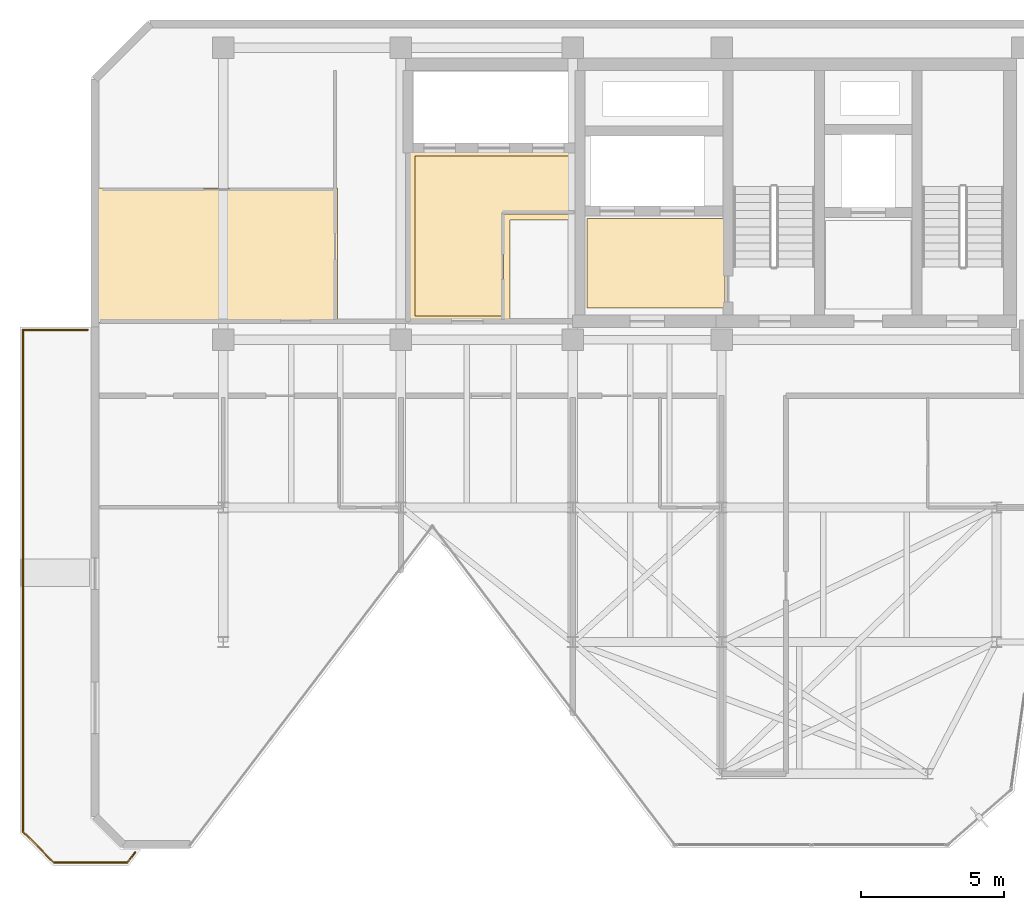
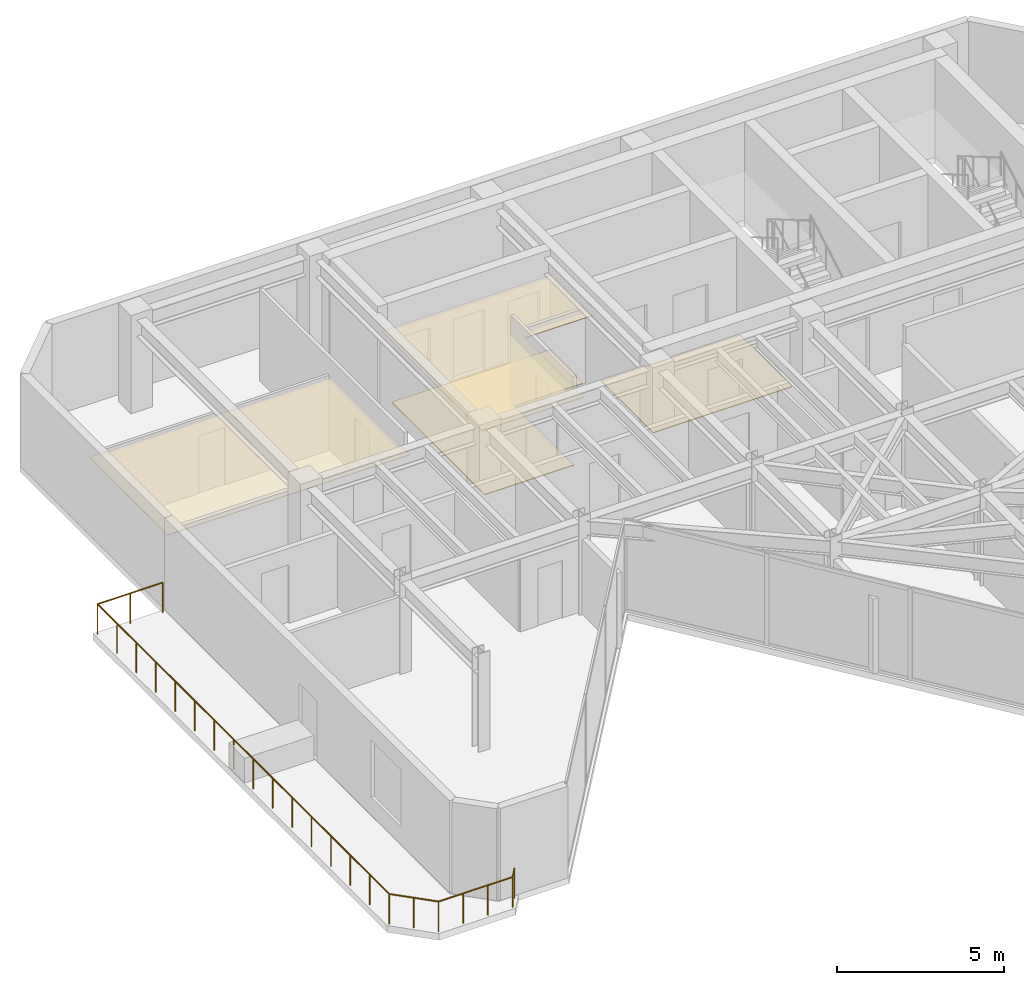
# One storey, part 15 of 16: 5 railings, 4 coverings.
"""IFC4 building model written with IfcOpenShell, lengths in metres."""

import ifcopenshell
import ifcopenshell.guid

model = None  # the IFC model being written
_history = None  # IfcOwnerHistory: only IFC2X3 demands one
_inside = {}  # id of a spatial element -> (the spatial element, [elements in it])
_under = {}  # id of a project, library or spatial element -> (it, [spatial elements below it])
_declared = {}  # id of a project -> (the project, [libraries it declares])
_typed = {}  # id of a type object -> (the type object, [elements of that type])
_made_of = {}  # id of a material, layer set ... -> (it, [elements and type objects made of it])


def new_model(schema):
    """Start an empty IFC model of exactly this schema.

    Asked for "IFC4X3", IfcOpenShell would pick the latest addendum, in which some entities
    have other attributes; the version numbers below select the first issue.
    IFC2X3 requires an IfcOwnerHistory on every rooted entity: one is made here for all.
    """
    global model, _history
    if schema == "IFC4X3":
        model = ifcopenshell.file(schema_version=(4, 3, 0, 0))
    else:
        model = ifcopenshell.file(schema=schema)
    _inside.clear()
    _under.clear()
    _declared.clear()
    _typed.clear()
    _made_of.clear()
    _history = None
    if model.schema == "IFC2X3":
        org = make("IfcOrganization", Name="unknown")
        user = make(
            "IfcPersonAndOrganization",
            ThePerson=make("IfcPerson", FamilyName="unknown"),
            TheOrganization=org,
        )
        app = make(
            "IfcApplication",
            ApplicationDeveloper=org,
            Version="unknown",
            ApplicationFullName="unknown",
            ApplicationIdentifier="unknown",
        )
        _history = make(
            "IfcOwnerHistory",
            OwningUser=user,
            OwningApplication=app,
            ChangeAction="ADDED",
            CreationDate=0,
        )
    return model


def make(cls, **values):
    """One entity of the class cls with the attributes given. An attribute that is None is left unset."""
    return model.create_entity(
        cls, **{name: value for name, value in values.items() if value is not None}
    )


def rooted(cls, **values):
    """An entity with a GlobalId (a new one), such as an element, a storey or a relation."""
    return make(cls, GlobalId=ifcopenshell.guid.new(), OwnerHistory=_history, **values)


def si_unit(unit_type, name, prefix=None):
    """IfcSIUnit, for example si_unit("LENGTHUNIT", "METRE", prefix="MILLI")."""
    return make("IfcSIUnit", UnitType=unit_type, Prefix=prefix, Name=name)


def assignment(units):
    """IfcUnitAssignment: the units of a project."""
    return None if units is None else make("IfcUnitAssignment", Units=units)


def point(xyz):
    """IfcCartesianPoint."""
    return None if xyz is None else make("IfcCartesianPoint", Coordinates=xyz)


def direction(xyz):
    """IfcDirection."""
    return None if xyz is None else make("IfcDirection", DirectionRatios=xyz)


def frame(location, z_axis=None, x_axis=None):
    """IfcAxis2Placement3D, a coordinate frame: its origin and axes. An axis left out is left unset."""
    return make(
        "IfcAxis2Placement3D",
        Location=point(location),
        Axis=direction(z_axis),
        RefDirection=direction(x_axis),
    )


def frame_2d(location, x_axis=None):
    """IfcAxis2Placement2D, a coordinate frame in the plane: its origin and x axis."""
    return make(
        "IfcAxis2Placement2D", Location=point(location), RefDirection=direction(x_axis)
    )


def origin():
    """The frame at (0, 0, 0) with its axes left unset."""
    return frame((0.0, 0.0, 0.0))


def origin_2d():
    """The frame at (0, 0) in the plane with its x axis left unset."""
    return frame_2d((0.0, 0.0))


def place(relative_to, where):
    """IfcLocalPlacement: puts the frame where relative to a parent placement (None: the world)."""
    return make(
        "IfcLocalPlacement", PlacementRelTo=relative_to, RelativePlacement=where
    )


def context(
    kind, dimensions, precision=None, world=None, true_north=None, identifier=None
):
    """IfcGeometricRepresentationContext, for example the 3D "Model" context."""
    return make(
        "IfcGeometricRepresentationContext",
        ContextIdentifier=identifier,
        ContextType=kind,
        CoordinateSpaceDimension=dimensions,
        Precision=precision,
        WorldCoordinateSystem=world,
        TrueNorth=true_north,
    )


def subcontext(parent, identifier, kind, view, scale=None):
    """IfcGeometricRepresentationSubContext, for example "Body" below "Model"."""
    return make(
        "IfcGeometricRepresentationSubContext",
        ContextIdentifier=identifier,
        ContextType=kind,
        ParentContext=parent,
        TargetScale=scale,
        TargetView=view,
    )


def project(units=None, contexts=None):
    """IfcProject with its units and contexts."""
    return rooted(
        "IfcProject",
        Name="project",
        RepresentationContexts=contexts,
        UnitsInContext=assignment(units),
    )


def spatial(cls, under=None, at=None, **own):
    """A site, building, storey or space (cls), placed at a placement, below another one or the project."""
    s = rooted(cls, ObjectPlacement=at, **own)
    if under is not None:
        _under.setdefault(under.id(), (under, []))[1].append(s)
    return s


def polyline(points):
    """IfcPolyline through the points."""
    return make("IfcPolyline", Points=[point(p) for p in points])


def profile(cls, at=None, kind="AREA", **sizes):
    """A parametric profile (cls). Its sizes go by their IFC names, for example OverallWidth=200.0."""
    return make(cls, ProfileType=kind, Position=at, **sizes)


def circle(**sizes):
    """IfcCircleProfileDef."""
    return profile("IfcCircleProfileDef", **sizes)


def outline(outer, holes=None, kind="AREA"):
    """IfcArbitraryClosedProfileDef: a profile drawn as a closed curve; with holes, ...WithVoids."""
    if holes is None:
        return make("IfcArbitraryClosedProfileDef", ProfileType=kind, OuterCurve=outer)
    return make(
        "IfcArbitraryProfileDefWithVoids",
        ProfileType=kind,
        OuterCurve=outer,
        InnerCurves=holes,
    )


def extrude(swept, where, along, depth):
    """IfcExtrudedAreaSolid: the profile swept, set in the frame where, extruded along a direction by depth."""
    return make(
        "IfcExtrudedAreaSolid",
        SweptArea=swept,
        Position=where,
        ExtrudedDirection=direction(along),
        Depth=depth,
    )


def shape(context_of_items, identifier, shape_type, items):
    """IfcShapeRepresentation: the items that make up one representation, for example the "Body"."""
    return make(
        "IfcShapeRepresentation",
        ContextOfItems=context_of_items,
        RepresentationIdentifier=identifier,
        RepresentationType=shape_type,
        Items=items,
    )


def material(Name=None, Category=None):
    """IfcMaterial."""
    return make("IfcMaterial", Name=Name, Category=Category)


def layer(
    of_material, thickness, ventilated=None, Name=None, Category=None, Priority=None
):
    """IfcMaterialLayer: one layer of a wall or slab, of a material (None: an air gap)."""
    return make(
        "IfcMaterialLayer",
        Material=of_material,
        LayerThickness=thickness,
        IsVentilated=ventilated,
        Name=Name,
        Category=Category,
        Priority=Priority,
    )


def layer_set(layers, Name=None):
    """IfcMaterialLayerSet."""
    return make("IfcMaterialLayerSet", MaterialLayers=layers, LayerSetName=Name)


def made_of(thing, what):
    """Note that an element or type object is made of a material, layer set ...; save() writes the relation."""
    if what is not None:
        _made_of.setdefault(what.id(), (what, []))[1].append(thing)
    return thing


def type_object(cls, material=None, **own):
    """A type object (cls), such as IfcWallType, which elements share."""
    return made_of(rooted(cls, **own), material)


def element(
    cls,
    number,
    at=None,
    inside=None,
    cuts=None,
    type_object=None,
    material=None,
    context=None,
    identifier="Body",
    shape_type=None,
    held_by="IfcProductDefinitionShape",
    body=None,
    shapes=None,
    **own,
):
    """One element of the class cls, such as IfcWall. Its Tag is "e" and its number.

    at: its placement. inside: the storey or other place that contains it. cuts: it is an
    opening in that element (IfcRelVoidsElement). A single representation is given by context,
    identifier, shape_type and body (its items); several are given by shapes. held_by: the class
    of the entity that holds the representations. save() writes the other relations.
    """
    e = rooted(cls, Tag="e%d" % number, ObjectPlacement=at, **own)
    if body is not None:
        shapes = [shape(context, identifier, shape_type, body)]
    if shapes is not None:
        e.Representation = make(held_by, Representations=shapes)
    if inside is not None:
        _inside.setdefault(inside.id(), (inside, []))[1].append(e)
    if cuts is not None:
        rooted(
            "IfcRelVoidsElement", RelatingBuildingElement=cuts, RelatedOpeningElement=e
        )
    if type_object is not None:
        _typed.setdefault(type_object.id(), (type_object, []))[1].append(e)
    return made_of(e, material)


def aggregate(whole, parts):
    """IfcRelAggregates: a whole, such as a stair, and the parts it consists of."""
    return rooted("IfcRelAggregates", RelatingObject=whole, RelatedObjects=parts)


def save(model, path):
    """Write the relations noted so far, then the file.

    IfcRelAggregates (storeys below a building ...), IfcRelContainedInSpatialStructure (elements
    in a storey), IfcRelDefinesByType, IfcRelAssociatesMaterial and IfcRelDeclares: one each for
    every whole, place, type object, material and project.
    """
    for whole, parts in _under.values():
        aggregate(whole, parts)
    for where, things in _inside.values():
        rooted(
            "IfcRelContainedInSpatialStructure",
            RelatedElements=things,
            RelatingStructure=where,
        )
    for kind, things in _typed.values():
        rooted("IfcRelDefinesByType", RelatedObjects=things, RelatingType=kind)
    for what, things in _made_of.values():
        rooted("IfcRelAssociatesMaterial", RelatedObjects=things, RelatingMaterial=what)
    for by, libraries in _declared.values():
        rooted("IfcRelDeclares", RelatingContext=by, RelatedDefinitions=libraries)
    model.write(path)


model = new_model("IFC4")

# Units and contexts
model_context = context("Model", 3, precision=1e-05, world=origin(), true_north=direction((0.0, 1.0)))
body_context = subcontext(model_context, "Body", "Model", "MODEL_VIEW")
ifc_project = project(units=[si_unit("LENGTHUNIT", "METRE"), si_unit("AREAUNIT", "SQUARE_METRE"), si_unit("VOLUMEUNIT", "CUBIC_METRE"), si_unit("PLANEANGLEUNIT", "RADIAN"), si_unit("MASSUNIT", "GRAM", prefix="KILO")], contexts=[model_context])

# Site, building, storey
site_placement = place(None, origin())
site = spatial("IfcSite", under=ifc_project, at=site_placement, CompositionType="ELEMENT")
building_placement = place(site_placement, origin())
building = spatial("IfcBuilding", under=site, at=building_placement, Name="Kravanh Interchange Tower", CompositionType="ELEMENT")
storey_placement = place(building_placement, frame((0.0, 0.0, 296.699951171875)))
storey = spatial("IfcBuildingStorey", under=building, at=storey_placement, Name="L73", CompositionType="ELEMENT", Elevation=296.699951171875)

# Coverings
ifc_material_1 = material(Name="Cementitious Terrazzo Tile")
ifc_layer_1 = layer(ifc_material_1, 0.030029296875)
ifc_layer_set_1 = layer_set([ifc_layer_1], Name="Honed Terrazzo Lobby Flooring 30mm")
covering_type_1 = type_object("IfcCoveringType", Name="Honed Terrazzo Lobby Flooring 30mm", PredefinedType="FLOORING", material=ifc_layer_set_1)
covering_1_placement = place(storey_placement, origin())
element("IfcCovering", 1, at=covering_1_placement, inside=storey, type_object=covering_type_1, Name="L73 Firefighting Lobby Floor Finish", PredefinedType="FLOORING", context=body_context, shape_type="SweptSolid", body=[
    extrude(outline(polyline([(56.1201171875, 38.4599609375), (51.300048828125, 38.4599609375), (51.300048828125, 41.580078125), (56.1201171875, 41.580078125), (56.1201171875, 38.4599609375)])), origin(), (0.0, 0.0, 1.0), 0.030029296875),
])
covering_2_placement = place(storey_placement, origin())
element("IfcCovering", 2, at=covering_2_placement, inside=storey, type_object=covering_type_1, Name="L73 High-Rise Lift Lobby Floor Finish", PredefinedType="FLOORING", context=body_context, shape_type="SweptSolid", body=[
    extrude(outline(polyline([(45.300048828125, 43.77001953125), (50.77001953125, 43.77001953125), (50.77001953125, 41.75), (48.389892578125, 41.75), (48.389892578125, 38.179931640625), (45.300048828125, 38.179931640625), (45.300048828125, 43.77001953125)])), origin(), (0.0, 0.0, 1.0), 0.030029296875),
])
ifc_material_2 = material(Name="Acoustic Mineral Fibre Tile on Aluminium Grid", Category="aluminium")
ifc_layer_2 = layer(ifc_material_2, 0.02490234375)
ifc_layer_set_2 = layer_set([ifc_layer_2], Name="Perforated Acoustic Mineral Ceiling 25mm")
covering_type_2 = type_object("IfcCoveringType", Name="Perforated Acoustic Mineral Ceiling 25mm", PredefinedType="CEILING", material=ifc_layer_set_2)
covering_3_placement = place(storey_placement, frame((0.0, 0.0, 2.550048828125)))
element("IfcCovering", 3, at=covering_3_placement, inside=storey, type_object=covering_type_2, Name="L73 High-Rise Lift Lobby Suspended Ceiling", PredefinedType="CEILING", context=body_context, shape_type="SweptSolid", body=[
    extrude(outline(polyline([(50.989990234375, 41.530029296875), (48.610107421875, 41.530029296875), (48.610107421875, 37.9599609375), (45.080078125, 37.9599609375), (45.080078125, 43.989990234375), (50.989990234375, 43.989990234375), (50.989990234375, 41.530029296875)])), origin(), (0.0, 0.0, 1.0), 0.02490234375),
])
covering_4_placement = place(storey_placement, frame((0.0, 0.0, 2.550048828125)))
element("IfcCovering", 4, at=covering_4_placement, inside=storey, type_object=covering_type_2, Name="L73 Executive Business Study Suspended Ceiling", PredefinedType="CEILING", context=body_context, shape_type="SweptSolid", body=[
    extrude(outline(polyline([(42.580078125, 37.9599609375), (34.179931640625, 37.9599609375), (34.179931640625, 42.659912109375), (42.580078125, 42.659912109375), (42.580078125, 37.9599609375)])), origin(), (0.0, 0.0, 1.0), 0.02490234375),
])

# Railings
ifc_material_3 = material(Name="Stainless Steel 316", Category="steel")
ifc_layer_3 = layer(ifc_material_3, 0.06005859375)
ifc_layer_set_3 = layer_set([ifc_layer_3], Name="Perimeter Balcony and Terrace Guardrail Stainless 316 1120mm")
railing_type = type_object("IfcRailingType", Name="Perimeter Balcony and Terrace Guardrail Stainless 316 1120mm", PredefinedType="GUARDRAIL", material=ifc_layer_set_3)
railing_1_placement = place(storey_placement, frame((32.681396484375, 19.10009765625, 0.0)))
element("IfcRailing", 5, at=railing_1_placement, inside=storey, type_object=railing_type, Name="L73 Stepped Terrace Guardrail 1", PredefinedType="GUARDRAIL", context=body_context, shape_type="SweptSolid", body=[
    extrude(circle(Radius=0.02392578125, at=origin_2d()), frame((0.0, 0.0, 1.09619140625), z_axis=(-0.707106781187, 0.707106781187, 0.0), x_axis=(-0.707106781187, -0.707106781187, 0.0)), (0.0, 0.0, 1.0), 1.529296875),
    extrude(circle(Radius=0.02099609375, at=origin_2d()), origin(), (0.0, 0.0, 1.0), 1.072021484375),
    extrude(circle(Radius=0.02099609375, at=origin_2d()), frame((-0.54052734375, 0.54052734375, 0.0)), (0.0, 0.0, 1.0), 1.072021484375),
    extrude(circle(Radius=0.02099609375, at=origin_2d()), frame((-1.081298828125, 1.081298828125, 0.0)), (0.0, 0.0, 1.0), 1.072021484375),
])
railing_2_placement = place(storey_placement, frame((31.60009765625, 20.181396484375, 0.0)))
element("IfcRailing", 6, at=railing_2_placement, inside=storey, type_object=railing_type, Name="L73 Stepped Terrace Guardrail 2", PredefinedType="GUARDRAIL", context=body_context, shape_type="SweptSolid", body=[
    extrude(circle(Radius=0.02392578125, at=origin_2d()), frame((0.0, 0.0, 1.09619140625), z_axis=(0.0, 1.0, 0.0), x_axis=(-1.0, 0.0, 0.0)), (0.0, 0.0, 1.0), 17.5185546875),
    extrude(circle(Radius=0.02099609375, at=origin_2d()), origin(), (0.0, 0.0, 1.0), 1.072021484375),
    extrude(circle(Radius=0.02099609375, at=origin_2d()), frame((0.0, 1.16796875, 0.0)), (0.0, 0.0, 1.0), 1.072021484375),
    extrude(circle(Radius=0.02099609375, at=origin_2d()), frame((0.0, 2.335693359375, 0.0)), (0.0, 0.0, 1.0), 1.072021484375),
    extrude(circle(Radius=0.02099609375, at=origin_2d()), frame((0.0, 3.503662109375, 0.0)), (0.0, 0.0, 1.0), 1.072021484375),
    extrude(circle(Radius=0.02099609375, at=origin_2d()), frame((0.0, 4.671630859375, 0.0)), (0.0, 0.0, 1.0), 1.072021484375),
    extrude(circle(Radius=0.02099609375, at=origin_2d()), frame((0.0, 5.839599609375, 0.0)), (0.0, 0.0, 1.0), 1.072021484375),
    extrude(circle(Radius=0.02099609375, at=origin_2d()), frame((0.0, 7.00732421875, 0.0)), (0.0, 0.0, 1.0), 1.072021484375),
    extrude(circle(Radius=0.02099609375, at=origin_2d()), frame((0.0, 8.17529296875, 0.0)), (0.0, 0.0, 1.0), 1.072021484375),
    extrude(circle(Radius=0.02099609375, at=origin_2d()), frame((0.0, 9.34326171875, 0.0)), (0.0, 0.0, 1.0), 1.072021484375),
    extrude(circle(Radius=0.02099609375, at=origin_2d()), frame((0.0, 10.51123046875, 0.0)), (0.0, 0.0, 1.0), 1.072021484375),
    extrude(circle(Radius=0.02099609375, at=origin_2d()), frame((0.0, 11.678955078125, 0.0)), (0.0, 0.0, 1.0), 1.072021484375),
    extrude(circle(Radius=0.02099609375, at=origin_2d()), frame((0.0, 12.846923828125, 0.0)), (0.0, 0.0, 1.0), 1.072021484375),
    extrude(circle(Radius=0.02099609375, at=origin_2d()), frame((0.0, 14.014892578125, 0.0)), (0.0, 0.0, 1.0), 1.072021484375),
    extrude(circle(Radius=0.02099609375, at=origin_2d()), frame((0.0, 15.182861328125, 0.0)), (0.0, 0.0, 1.0), 1.072021484375),
    extrude(circle(Radius=0.02099609375, at=origin_2d()), frame((0.0, 16.3505859375, 0.0)), (0.0, 0.0, 1.0), 1.072021484375),
    extrude(circle(Radius=0.02099609375, at=origin_2d()), frame((0.0, 17.5185546875, 0.0)), (0.0, 0.0, 1.0), 1.072021484375),
])
railing_3_placement = place(storey_placement, frame((31.60009765625, 37.699951171875, 0.0)))
element("IfcRailing", 7, at=railing_3_placement, inside=storey, type_object=railing_type, Name="L73 Stepped Terrace Guardrail 3", PredefinedType="GUARDRAIL", context=body_context, shape_type="SweptSolid", body=[
    extrude(circle(Radius=0.02392578125, at=origin_2d()), frame((0.0, 0.0, 1.09619140625), z_axis=(1.0, 0.0, 0.0), x_axis=(0.0, 1.0, 0.0)), (0.0, 0.0, 1.0), 2.260009765625),
    extrude(circle(Radius=0.02099609375, at=origin_2d()), origin(), (0.0, 0.0, 1.0), 1.072021484375),
    extrude(circle(Radius=0.02099609375, at=origin_2d()), frame((1.1298828125, 0.0, 0.0)), (0.0, 0.0, 1.0), 1.072021484375),
    extrude(circle(Radius=0.02099609375, at=origin_2d()), frame((2.260009765625, 0.0, 0.0)), (0.0, 0.0, 1.0), 1.072021484375),
])
railing_4_placement = place(storey_placement, frame((35.52392578125, 19.4599609375, 0.0)))
element("IfcRailing", 8, at=railing_4_placement, inside=storey, type_object=railing_type, Name="L73 Stepped Terrace Guardrail 7", PredefinedType="GUARDRAIL", context=body_context, shape_type="SweptSolid", body=[
    extrude(circle(Radius=0.02392578125, at=origin_2d()), frame((0.0, 0.0, 1.09619140625), z_axis=(-0.605001086895, -0.796224644718, 0.0), x_axis=(0.796224644718, -0.605001086895, 0.0)), (0.0, 0.0, 1.0), 0.451904296875),
    extrude(circle(Radius=0.02099609375, at=origin_2d()), origin(), (0.0, 0.0, 1.0), 1.072021484375),
    extrude(circle(Radius=0.02099609375, at=origin_2d()), frame((-0.2734375, -0.35986328125, 0.0)), (0.0, 0.0, 1.0), 1.072021484375),
])
railing_5_placement = place(storey_placement, frame((35.25048828125, 19.10009765625, 0.0)))
element("IfcRailing", 9, at=railing_5_placement, inside=storey, type_object=railing_type, Name="L73 Stepped Terrace Guardrail 8", PredefinedType="GUARDRAIL", context=body_context, shape_type="SweptSolid", body=[
    extrude(circle(Radius=0.02392578125, at=origin_2d()), frame((0.0, 0.0, 1.09619140625), z_axis=(-1.0, 0.0, 0.0), x_axis=(0.0, -1.0, 0.0)), (0.0, 0.0, 1.0), 2.569091796875),
    extrude(circle(Radius=0.02099609375, at=origin_2d()), origin(), (0.0, 0.0, 1.0), 1.072021484375),
    extrude(circle(Radius=0.02099609375, at=origin_2d()), frame((-0.8564453125, 0.0, 0.0)), (0.0, 0.0, 1.0), 1.072021484375),
    extrude(circle(Radius=0.02099609375, at=origin_2d()), frame((-1.712646484375, 0.0, 0.0)), (0.0, 0.0, 1.0), 1.072021484375),
    extrude(circle(Radius=0.02099609375, at=origin_2d()), frame((-2.569091796875, 0.0, 0.0)), (0.0, 0.0, 1.0), 1.072021484375),
])

save(model, "model.ifc")
